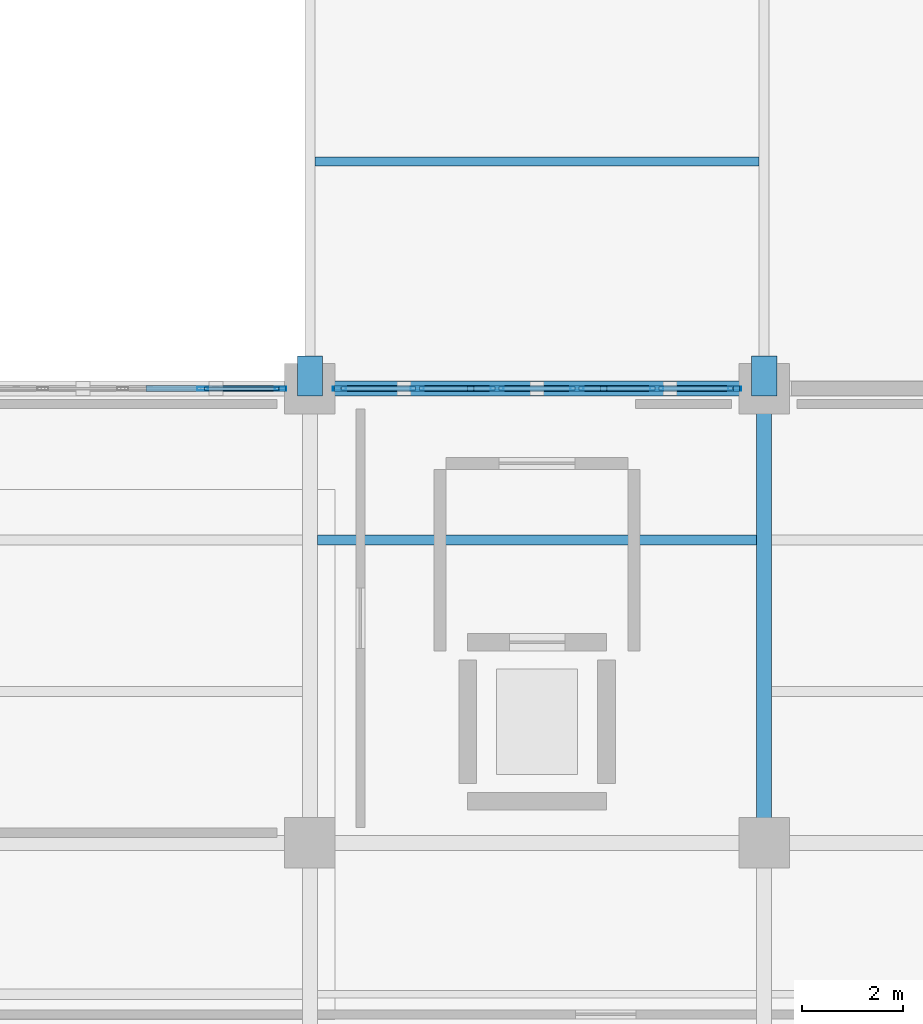
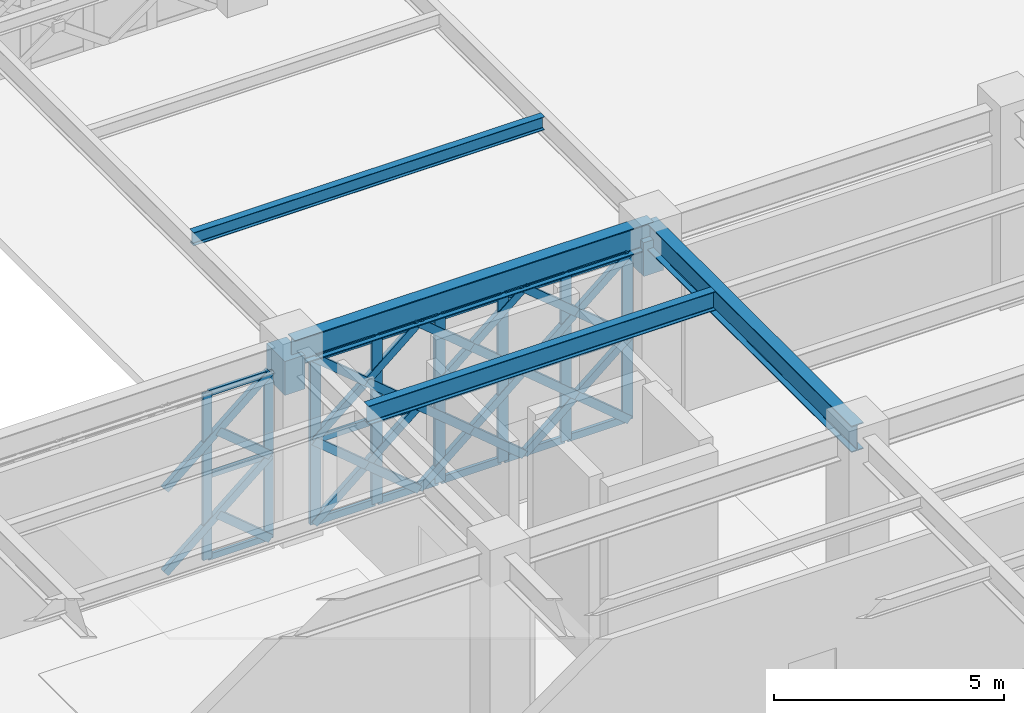
# One storey, part 16 of 140: 48 members, 6 beams, 2 elements without a shape of their own.
"""IFC4 building model written with IfcOpenShell, lengths in metres."""

from ifc_helpers import new_model, si_unit, direction, frame, origin, origin_2d, place, context, subcontext, project, spatial, rectangle, hollow_rectangle, i_section, extrude, material, material_profile, profile_set, type_object, element, aggregate, save


model = new_model("IFC4")

# Units and contexts
model_context = context("Model", 3, precision=1e-05, world=origin(), true_north=direction((0.0, 1.0)))
body_context = subcontext(model_context, "Body", "Model", "MODEL_VIEW")
ifc_project = project(units=[si_unit("LENGTHUNIT", "METRE"), si_unit("AREAUNIT", "SQUARE_METRE"), si_unit("VOLUMEUNIT", "CUBIC_METRE"), si_unit("PLANEANGLEUNIT", "RADIAN"), si_unit("MASSUNIT", "GRAM", prefix="KILO")], contexts=[model_context])

# Site, building, storey
site_placement = place(None, origin())
site = spatial("IfcSite", under=ifc_project, at=site_placement, CompositionType="ELEMENT")
building_placement = place(site_placement, origin())
building = spatial("IfcBuilding", under=site, at=building_placement, Name="Haizhuo Lancet Aquarium", CompositionType="ELEMENT")
storey_placement = place(building_placement, origin())
storey = spatial("IfcBuildingStorey", under=building, at=storey_placement, Name="L00", CompositionType="ELEMENT", Elevation=0.0)

# Beams
ifc_material_1 = material(Name="Concrete C40/50", Category="concrete")
ifc_material_profile_1 = material_profile(ifc_material_1, rectangle(XDim=0.5, YDim=0.89990234375, at=origin_2d()), Name="RC-BM 500x900")
ifc_profile_set_1 = profile_set([ifc_material_profile_1], Name="Concrete C40/50")
beam_type_1 = type_object("IfcBeamType", Name="BM-RC-500x900", PredefinedType="BEAM", material=ifc_profile_set_1)
for number, where, z_axis, x_axis, name in (
    (1, (-63.0, -9.14990234375, 4.205078125), (0.0, 1.0, 0.0), (-1.0, 0.0, 0.0), "Reinforced concrete bridge bearing corbel SB-01 1S"),
    (2, (-54.0, -9.14990234375, 4.205078125), (0.0, 1.0, 0.0), (-1.0, 0.0, 0.0), "Reinforced concrete bridge bearing corbel SB-01 2S"),
):
    element("IfcBeam", number, at=place(storey_placement, frame(where, z_axis=z_axis, x_axis=x_axis)), inside=storey, type_object=beam_type_1, Name=name, PredefinedType="BEAM", context=body_context, shape_type="SweptSolid", body=[
        extrude(rectangle(XDim=0.5, YDim=0.89990234375, at=origin_2d()), origin(), (0.0, 0.0, 1.0), 0.7998046875),
    ])
ifc_material_2 = material(Name="Steel S355", Category="steel")
ifc_material_profile_2 = material_profile(ifc_material_2, i_section(OverallWidth=0.300048828125, OverallDepth=0.699951171875, WebThickness=0.012939453125, FlangeThickness=0.02392578125, FilletRadius=0.02587890625, at=origin_2d()), Name="HN 700x300x13x24")
ifc_profile_set_2 = profile_set([ifc_material_profile_2], Name="Steel S355")
beam_type_2 = type_object("IfcBeamType", Name="BM-ST-HN700", PredefinedType="BEAM", material=ifc_profile_set_2)
for number, where, z_axis, x_axis, name in (
    (3, (-63.0, -9.0, 4.77001953125), (1.0, 0.0, 0.0), (0.0, 1.0, 0.0), "L00 V6 primary girder BM-L00-V6-013"),
    (4, (-54.0, -18.0, 4.77001953125), (0.0, 1.0, 0.0), (-1.0, 0.0, 0.0), "L00 V6 primary girder BM-L00-V6-018"),
):
    element("IfcBeam", number, at=place(storey_placement, frame(where, z_axis=z_axis, x_axis=x_axis)), inside=storey, type_object=beam_type_2, Name=name, PredefinedType="BEAM", context=body_context, shape_type="SweptSolid", body=[
        extrude(i_section(OverallWidth=0.300048828125, OverallDepth=0.699951171875, WebThickness=0.012939453125, FlangeThickness=0.02392578125, FilletRadius=0.02587890625, at=origin_2d()), origin(), (0.0, 0.0, 1.0), 9.0),
    ])

# Curtain wall, members
ifc_material_3 = material(Name="Aluminium 6063-T6", Category="aluminium")
curtain_wall_type = type_object("IfcCurtainWallType", Name="CWO-7910x4420", PredefinedType="NOTDEFINED", material=ifc_material_3)
curtain_wall_1_placement = place(storey_placement, origin())
curtain_wall_1 = element("IfcCurtainWall", 5, at=curtain_wall_1_placement, inside=storey, type_object=curtain_wall_type, Name="L00 curtain wall CW-V6-L00-194", PredefinedType="NOTDEFINED")
ifc_material_profile_3 = material_profile(ifc_material_3, hollow_rectangle(XDim=0.074951171875, YDim=0.219970703125, WallThickness=0.0048828125, at=origin_2d()), Name="ALU-M 75x220x5")
ifc_profile_set_3 = profile_set([ifc_material_profile_3], Name="Aluminium 6063-T6")
member_type_1 = type_object("IfcMemberType", Name="CW-MUL-2", PredefinedType="MULLION", material=ifc_profile_set_3)
member_1_placement = place(storey_placement, frame((-65.126953125, -9.0, 0.0), z_axis=(0.0, 0.0, 1.0), x_axis=(0.0, 1.0, 0.0)))
member_1 = element("IfcMember", 6, at=member_1_placement, type_object=member_type_1, Name="CWO-79x44 mullion 5", PredefinedType="MULLION", context=body_context, shape_type="SweptSolid", body=[
    extrude(hollow_rectangle(XDim=0.074951171875, YDim=0.219970703125, WallThickness=0.0048828125, at=origin_2d()), origin(), (0.0, 0.0, 1.0), 4.419921875),
])
member_2_placement = place(storey_placement, frame((-63.5830078125, -9.0, 0.0), z_axis=(0.0, 0.0, 1.0), x_axis=(0.0, 1.0, 0.0)))
member_2 = element("IfcMember", 7, at=member_2_placement, type_object=member_type_1, Name="CWO-79x44 mullion 6", PredefinedType="MULLION", context=body_context, shape_type="SweptSolid", body=[
    extrude(hollow_rectangle(XDim=0.074951171875, YDim=0.219970703125, WallThickness=0.0048828125, at=origin_2d()), origin(), (0.0, 0.0, 1.0), 4.419921875),
])

curtain_wall_2_placement = place(storey_placement, origin())
curtain_wall_2 = element("IfcCurtainWall", 8, at=curtain_wall_2_placement, inside=storey, type_object=curtain_wall_type, Name="L00 curtain wall CW-V6-L00-195", PredefinedType="NOTDEFINED")
ifc_material_profile_4 = material_profile(ifc_material_3, hollow_rectangle(XDim=0.080078125, YDim=0.260009765625, WallThickness=0.0048828125, at=origin_2d()), Name="ALU-M 80x260x5")
ifc_profile_set_4 = profile_set([ifc_material_profile_4], Name="Aluminium 6063-T6")
member_type_2 = type_object("IfcMemberType", Name="CW-MUL-3", PredefinedType="MULLION", material=ifc_profile_set_4)
member_3_placement = place(storey_placement, frame((-62.4150390625, -9.0, 0.0), z_axis=(0.0, 0.0, 1.0), x_axis=(0.0, 1.0, 0.0)))
member_3 = element("IfcMember", 9, at=member_3_placement, type_object=member_type_2, Name="CWO-79x44 mullion 1", PredefinedType="MULLION", context=body_context, shape_type="SweptSolid", body=[
    extrude(hollow_rectangle(XDim=0.080078125, YDim=0.260009765625, WallThickness=0.0048828125, at=origin_2d()), origin(), (0.0, 0.0, 1.0), 4.419921875),
])
member_4_placement = place(storey_placement, frame((-60.873046875, -9.0, 0.0), z_axis=(0.0, 0.0, 1.0), x_axis=(0.0, 1.0, 0.0)))
member_4 = element("IfcMember", 10, at=member_4_placement, type_object=member_type_2, Name="CWO-79x44 mullion 2", PredefinedType="MULLION", context=body_context, shape_type="SweptSolid", body=[
    extrude(hollow_rectangle(XDim=0.080078125, YDim=0.260009765625, WallThickness=0.0048828125, at=origin_2d()), origin(), (0.0, 0.0, 1.0), 4.419921875),
])
member_5_placement = place(storey_placement, frame((-59.291015625, -9.0, 0.0), z_axis=(0.0, 0.0, 1.0), x_axis=(0.0, 1.0, 0.0)))
member_5 = element("IfcMember", 11, at=member_5_placement, type_object=member_type_2, Name="CWO-79x44 mullion 3", PredefinedType="MULLION", context=body_context, shape_type="SweptSolid", body=[
    extrude(hollow_rectangle(XDim=0.080078125, YDim=0.260009765625, WallThickness=0.0048828125, at=origin_2d()), origin(), (0.0, 0.0, 1.0), 4.419921875),
])
member_6_placement = place(storey_placement, frame((-57.708984375, -9.0, 0.0), z_axis=(0.0, 0.0, 1.0), x_axis=(0.0, 1.0, 0.0)))
member_6 = element("IfcMember", 12, at=member_6_placement, type_object=member_type_2, Name="CWO-79x44 mullion 4", PredefinedType="MULLION", context=body_context, shape_type="SweptSolid", body=[
    extrude(hollow_rectangle(XDim=0.080078125, YDim=0.260009765625, WallThickness=0.0048828125, at=origin_2d()), origin(), (0.0, 0.0, 1.0), 4.419921875),
])
member_7_placement = place(storey_placement, frame((-56.126953125, -9.0, 0.0), z_axis=(0.0, 0.0, 1.0), x_axis=(0.0, 1.0, 0.0)))
member_7 = element("IfcMember", 13, at=member_7_placement, type_object=member_type_2, Name="CWO-79x44 mullion 5", PredefinedType="MULLION", context=body_context, shape_type="SweptSolid", body=[
    extrude(hollow_rectangle(XDim=0.080078125, YDim=0.260009765625, WallThickness=0.0048828125, at=origin_2d()), origin(), (0.0, 0.0, 1.0), 4.419921875),
])
member_8_placement = place(storey_placement, frame((-54.5849609375, -9.0, 0.0), z_axis=(0.0, 0.0, 1.0), x_axis=(0.0, 1.0, 0.0)))
member_8 = element("IfcMember", 14, at=member_8_placement, type_object=member_type_2, Name="CWO-79x44 mullion 6", PredefinedType="MULLION", context=body_context, shape_type="SweptSolid", body=[
    extrude(hollow_rectangle(XDim=0.080078125, YDim=0.260009765625, WallThickness=0.0048828125, at=origin_2d()), origin(), (0.0, 0.0, 1.0), 4.419921875),
])

# Member
ifc_material_profile_5 = material_profile(ifc_material_3, hollow_rectangle(XDim=0.074951171875, YDim=0.159912109375, WallThickness=0.00390625, at=origin_2d()), Name="ALU-T 75x160x4")
ifc_profile_set_5 = profile_set([ifc_material_profile_5], Name="Aluminium 6063-T6")
member_type_3 = type_object("IfcMemberType", Name="CW-TRN-2", PredefinedType="NOTDEFINED", material=ifc_profile_set_5)
member_9_placement = place(storey_placement, frame((-65.090087890625, -9.0, 0.037109375), z_axis=(1.0, 0.0, 0.0), x_axis=(0.0, 1.0, 0.0)))
member_9 = element("IfcMember", 15, at=member_9_placement, type_object=member_type_3, Name="CWO-79x44 transom 5.1", ObjectType="TRANSOM", PredefinedType="USERDEFINED", context=body_context, shape_type="SweptSolid", body=[
    extrude(hollow_rectangle(XDim=0.074951171875, YDim=0.159912109375, WallThickness=0.00390625, at=origin_2d()), origin(), (0.0, 0.0, 1.0), 1.469970703125),
])

member_10_placement = place(storey_placement, frame((-65.090087890625, -9.0, 2.2099609375), z_axis=(1.0, 0.0, 0.0), x_axis=(0.0, 1.0, 0.0)))
member_10 = element("IfcMember", 16, at=member_10_placement, type_object=member_type_3, Name="CWO-79x44 transom 5.2", ObjectType="TRANSOM", PredefinedType="USERDEFINED", context=body_context, shape_type="SweptSolid", body=[
    extrude(hollow_rectangle(XDim=0.074951171875, YDim=0.159912109375, WallThickness=0.00390625, at=origin_2d()), origin(), (0.0, 0.0, 1.0), 1.469970703125),
])

member_11_placement = place(storey_placement, frame((-65.090087890625, -9.0, 4.383056640625), z_axis=(1.0, 0.0, 0.0), x_axis=(0.0, 1.0, 0.0)))
member_11 = element("IfcMember", 17, at=member_11_placement, type_object=member_type_3, Name="CWO-79x44 transom 5.3", ObjectType="TRANSOM", PredefinedType="USERDEFINED", context=body_context, shape_type="SweptSolid", body=[
    extrude(hollow_rectangle(XDim=0.074951171875, YDim=0.159912109375, WallThickness=0.00390625, at=origin_2d()), origin(), (0.0, 0.0, 1.0), 1.469970703125),
])

aggregate(curtain_wall_1, [member_1, member_2, member_9, member_10, member_11])

ifc_material_profile_6 = material_profile(ifc_material_3, hollow_rectangle(XDim=0.080078125, YDim=0.18994140625, WallThickness=0.0048828125, at=origin_2d()), Name="ALU-T 80x190x5")
ifc_profile_set_6 = profile_set([ifc_material_profile_6], Name="Aluminium 6063-T6")
member_type_4 = type_object("IfcMemberType", Name="CW-TRN-3", PredefinedType="NOTDEFINED", material=ifc_profile_set_6)
member_12_placement = place(storey_placement, frame((-62.375, -9.0, 0.0400390625), z_axis=(1.0, 0.0, 0.0), x_axis=(0.0, 1.0, 0.0)))
member_12 = element("IfcMember", 18, at=member_12_placement, type_object=member_type_4, Name="CWO-79x44 transom 1.1", ObjectType="TRANSOM", PredefinedType="USERDEFINED", context=body_context, shape_type="SweptSolid", body=[
    extrude(hollow_rectangle(XDim=0.080078125, YDim=0.18994140625, WallThickness=0.0048828125, at=origin_2d()), origin(), (0.0, 0.0, 1.0), 1.4619140625),
])

member_13_placement = place(storey_placement, frame((-62.375, -9.0, 2.2099609375), z_axis=(1.0, 0.0, 0.0), x_axis=(0.0, 1.0, 0.0)))
member_13 = element("IfcMember", 19, at=member_13_placement, type_object=member_type_4, Name="CWO-79x44 transom 1.2", ObjectType="TRANSOM", PredefinedType="USERDEFINED", context=body_context, shape_type="SweptSolid", body=[
    extrude(hollow_rectangle(XDim=0.080078125, YDim=0.18994140625, WallThickness=0.0048828125, at=origin_2d()), origin(), (0.0, 0.0, 1.0), 1.4619140625),
])

member_14_placement = place(storey_placement, frame((-62.375, -9.0, 4.3798828125), z_axis=(1.0, 0.0, 0.0), x_axis=(0.0, 1.0, 0.0)))
member_14 = element("IfcMember", 20, at=member_14_placement, type_object=member_type_4, Name="CWO-79x44 transom 1.3", ObjectType="TRANSOM", PredefinedType="USERDEFINED", context=body_context, shape_type="SweptSolid", body=[
    extrude(hollow_rectangle(XDim=0.080078125, YDim=0.18994140625, WallThickness=0.0048828125, at=origin_2d()), origin(), (0.0, 0.0, 1.0), 1.4619140625),
])

member_15_placement = place(storey_placement, frame((-60.8330078125, -9.0, 0.0400390625), z_axis=(1.0, 0.0, 0.0), x_axis=(0.0, 1.0, 0.0)))
member_15 = element("IfcMember", 21, at=member_15_placement, type_object=member_type_4, Name="CWO-79x44 transom 2.1", ObjectType="TRANSOM", PredefinedType="USERDEFINED", context=body_context, shape_type="SweptSolid", body=[
    extrude(hollow_rectangle(XDim=0.080078125, YDim=0.18994140625, WallThickness=0.0048828125, at=origin_2d()), origin(), (0.0, 0.0, 1.0), 1.501953125),
])

member_16_placement = place(storey_placement, frame((-60.8330078125, -9.0, 2.2099609375), z_axis=(1.0, 0.0, 0.0), x_axis=(0.0, 1.0, 0.0)))
member_16 = element("IfcMember", 22, at=member_16_placement, type_object=member_type_4, Name="CWO-79x44 transom 2.2", ObjectType="TRANSOM", PredefinedType="USERDEFINED", context=body_context, shape_type="SweptSolid", body=[
    extrude(hollow_rectangle(XDim=0.080078125, YDim=0.18994140625, WallThickness=0.0048828125, at=origin_2d()), origin(), (0.0, 0.0, 1.0), 1.501953125),
])

member_17_placement = place(storey_placement, frame((-60.8330078125, -9.0, 4.3798828125), z_axis=(1.0, 0.0, 0.0), x_axis=(0.0, 1.0, 0.0)))
member_17 = element("IfcMember", 23, at=member_17_placement, type_object=member_type_4, Name="CWO-79x44 transom 2.3", ObjectType="TRANSOM", PredefinedType="USERDEFINED", context=body_context, shape_type="SweptSolid", body=[
    extrude(hollow_rectangle(XDim=0.080078125, YDim=0.18994140625, WallThickness=0.0048828125, at=origin_2d()), origin(), (0.0, 0.0, 1.0), 1.501953125),
])

member_18_placement = place(storey_placement, frame((-59.2509765625, -9.0, 0.0400390625), z_axis=(1.0, 0.0, 0.0), x_axis=(0.0, 1.0, 0.0)))
member_18 = element("IfcMember", 24, at=member_18_placement, type_object=member_type_4, Name="CWO-79x44 transom 3.1", ObjectType="TRANSOM", PredefinedType="USERDEFINED", context=body_context, shape_type="SweptSolid", body=[
    extrude(hollow_rectangle(XDim=0.080078125, YDim=0.18994140625, WallThickness=0.0048828125, at=origin_2d()), origin(), (0.0, 0.0, 1.0), 1.501953125),
])

member_19_placement = place(storey_placement, frame((-59.2509765625, -9.0, 2.2099609375), z_axis=(1.0, 0.0, 0.0), x_axis=(0.0, 1.0, 0.0)))
member_19 = element("IfcMember", 25, at=member_19_placement, type_object=member_type_4, Name="CWO-79x44 transom 3.2", ObjectType="TRANSOM", PredefinedType="USERDEFINED", context=body_context, shape_type="SweptSolid", body=[
    extrude(hollow_rectangle(XDim=0.080078125, YDim=0.18994140625, WallThickness=0.0048828125, at=origin_2d()), origin(), (0.0, 0.0, 1.0), 1.501953125),
])

member_20_placement = place(storey_placement, frame((-59.2509765625, -9.0, 4.3798828125), z_axis=(1.0, 0.0, 0.0), x_axis=(0.0, 1.0, 0.0)))
member_20 = element("IfcMember", 26, at=member_20_placement, type_object=member_type_4, Name="CWO-79x44 transom 3.3", ObjectType="TRANSOM", PredefinedType="USERDEFINED", context=body_context, shape_type="SweptSolid", body=[
    extrude(hollow_rectangle(XDim=0.080078125, YDim=0.18994140625, WallThickness=0.0048828125, at=origin_2d()), origin(), (0.0, 0.0, 1.0), 1.501953125),
])

member_21_placement = place(storey_placement, frame((-57.6689453125, -9.0, 0.0400390625), z_axis=(1.0, 0.0, 0.0), x_axis=(0.0, 1.0, 0.0)))
member_21 = element("IfcMember", 27, at=member_21_placement, type_object=member_type_4, Name="CWO-79x44 transom 4.1", ObjectType="TRANSOM", PredefinedType="USERDEFINED", context=body_context, shape_type="SweptSolid", body=[
    extrude(hollow_rectangle(XDim=0.080078125, YDim=0.18994140625, WallThickness=0.0048828125, at=origin_2d()), origin(), (0.0, 0.0, 1.0), 1.501953125),
])

member_22_placement = place(storey_placement, frame((-57.6689453125, -9.0, 2.2099609375), z_axis=(1.0, 0.0, 0.0), x_axis=(0.0, 1.0, 0.0)))
member_22 = element("IfcMember", 28, at=member_22_placement, type_object=member_type_4, Name="CWO-79x44 transom 4.2", ObjectType="TRANSOM", PredefinedType="USERDEFINED", context=body_context, shape_type="SweptSolid", body=[
    extrude(hollow_rectangle(XDim=0.080078125, YDim=0.18994140625, WallThickness=0.0048828125, at=origin_2d()), origin(), (0.0, 0.0, 1.0), 1.501953125),
])

member_23_placement = place(storey_placement, frame((-57.6689453125, -9.0, 4.3798828125), z_axis=(1.0, 0.0, 0.0), x_axis=(0.0, 1.0, 0.0)))
member_23 = element("IfcMember", 29, at=member_23_placement, type_object=member_type_4, Name="CWO-79x44 transom 4.3", ObjectType="TRANSOM", PredefinedType="USERDEFINED", context=body_context, shape_type="SweptSolid", body=[
    extrude(hollow_rectangle(XDim=0.080078125, YDim=0.18994140625, WallThickness=0.0048828125, at=origin_2d()), origin(), (0.0, 0.0, 1.0), 1.501953125),
])

member_24_placement = place(storey_placement, frame((-56.0869140625, -9.0, 0.0400390625), z_axis=(1.0, 0.0, 0.0), x_axis=(0.0, 1.0, 0.0)))
member_24 = element("IfcMember", 30, at=member_24_placement, type_object=member_type_4, Name="CWO-79x44 transom 5.1", ObjectType="TRANSOM", PredefinedType="USERDEFINED", context=body_context, shape_type="SweptSolid", body=[
    extrude(hollow_rectangle(XDim=0.080078125, YDim=0.18994140625, WallThickness=0.0048828125, at=origin_2d()), origin(), (0.0, 0.0, 1.0), 1.4619140625),
])

member_25_placement = place(storey_placement, frame((-56.0869140625, -9.0, 2.2099609375), z_axis=(1.0, 0.0, 0.0), x_axis=(0.0, 1.0, 0.0)))
member_25 = element("IfcMember", 31, at=member_25_placement, type_object=member_type_4, Name="CWO-79x44 transom 5.2", ObjectType="TRANSOM", PredefinedType="USERDEFINED", context=body_context, shape_type="SweptSolid", body=[
    extrude(hollow_rectangle(XDim=0.080078125, YDim=0.18994140625, WallThickness=0.0048828125, at=origin_2d()), origin(), (0.0, 0.0, 1.0), 1.4619140625),
])

member_26_placement = place(storey_placement, frame((-56.0869140625, -9.0, 4.3798828125), z_axis=(1.0, 0.0, 0.0), x_axis=(0.0, 1.0, 0.0)))
member_26 = element("IfcMember", 32, at=member_26_placement, type_object=member_type_4, Name="CWO-79x44 transom 5.3", ObjectType="TRANSOM", PredefinedType="USERDEFINED", context=body_context, shape_type="SweptSolid", body=[
    extrude(hollow_rectangle(XDim=0.080078125, YDim=0.18994140625, WallThickness=0.0048828125, at=origin_2d()), origin(), (0.0, 0.0, 1.0), 1.4619140625),
])

aggregate(curtain_wall_2, [member_3, member_4, member_5, member_6, member_7, member_8, member_12, member_13, member_14, member_15, member_16, member_17, member_18, member_19, member_20, member_21, member_22, member_23, member_24, member_25, member_26])

# Beams
ifc_material_profile_7 = material_profile(ifc_material_2, i_section(OverallWidth=0.175048828125, OverallDepth=0.35009765625, WebThickness=0.007080078125, FlangeThickness=0.010986328125, FilletRadius=0.013916015625, at=origin_2d()), Name="HN 350x175x7x11")
ifc_profile_set_7 = profile_set([ifc_material_profile_7], Name="Steel S355")
beam_type_3 = type_object("IfcBeamType", Name="JST-ST-HN350", PredefinedType="JOIST", material=ifc_profile_set_7)
beam_1_placement = place(storey_placement, frame((-62.89990234375, -4.5, 5.0048828125), z_axis=(1.0, 0.0, 0.0), x_axis=(0.0, 1.0, 0.0)))
element("IfcBeam", 33, at=beam_1_placement, inside=storey, type_object=beam_type_3, Name="Glazed bridge floor joist SB-01 1", PredefinedType="JOIST", context=body_context, shape_type="SweptSolid", body=[
    extrude(i_section(OverallWidth=0.175048828125, OverallDepth=0.35009765625, WebThickness=0.007080078125, FlangeThickness=0.010986328125, FilletRadius=0.013916015625, at=origin_2d()), origin(), (0.0, 0.0, 1.0), 8.7998046875),
])
ifc_material_profile_8 = material_profile(ifc_material_2, i_section(OverallWidth=0.199951171875, OverallDepth=0.5, WebThickness=0.010009765625, FlangeThickness=0.01611328125, FilletRadius=0.02001953125, at=origin_2d()), Name="HN 500x200x10x16")
ifc_profile_set_8 = profile_set([ifc_material_profile_8], Name="Steel S355")
beam_type_4 = type_object("IfcBeamType", Name="JST-ST-HN500", PredefinedType="JOIST", material=ifc_profile_set_8)
beam_2_placement = place(storey_placement, frame((-62.85009765625, -12.0, 4.8701171875), z_axis=(1.0, 0.0, 0.0), x_axis=(0.0, 1.0, 0.0)))
element("IfcBeam", 34, at=beam_2_placement, inside=storey, type_object=beam_type_4, Name="L00 V6 secondary floor joist 9", PredefinedType="JOIST", context=body_context, shape_type="SweptSolid", body=[
    extrude(i_section(OverallWidth=0.199951171875, OverallDepth=0.5, WebThickness=0.010009765625, FlangeThickness=0.01611328125, FilletRadius=0.02001953125, at=origin_2d()), origin(), (0.0, 0.0, 1.0), 8.7001953125),
])

# Members
ifc_material_profile_9 = material_profile(ifc_material_2, hollow_rectangle(XDim=0.1201171875, YDim=0.199951171875, WallThickness=0.008056640625, at=origin_2d()), Name="RHS 120x200x8")
ifc_profile_set_9 = profile_set([ifc_material_profile_9], Name="Steel S355")
member_type_5 = type_object("IfcMemberType", Name="MEM-LB-RHS120x200", PredefinedType="BRACE", material=ifc_profile_set_9)
member_27_placement = place(storey_placement, frame((-66.181884765625, -9.0, 0.0), z_axis=(0.766432673157, 0.0, 0.642324651182), x_axis=(0.0, 1.0, 0.0)))
element("IfcMember", 35, at=member_27_placement, inside=storey, type_object=member_type_5, Name="Gothic lancet continuous diagonal brace CW-V6-L00-194 5A", PredefinedType="BRACE", context=body_context, shape_type="SweptSolid", body=[
    extrude(hollow_rectangle(XDim=0.1201171875, YDim=0.199951171875, WallThickness=0.008056640625, at=origin_2d()), origin(), (0.0, 0.0, 1.0), 3.440673828125),
])
member_28_placement = place(storey_placement, frame((-63.544921875, -9.0, 0.0), z_axis=(-0.76657899599, 0.0, 0.64215001589), x_axis=(0.0, -1.0, 0.0)))
element("IfcMember", 36, at=member_28_placement, inside=storey, type_object=member_type_5, Name="Gothic lancet split diagonal brace CW-V6-L00-194 5B1", PredefinedType="BRACE", context=body_context, shape_type="SweptSolid", body=[
    extrude(hollow_rectangle(XDim=0.1201171875, YDim=0.199951171875, WallThickness=0.008056640625, at=origin_2d()), origin(), (0.0, 0.0, 1.0), 1.720703125),
])
member_29_placement = place(storey_placement, frame((-66.181884765625, -9.0, 2.2099609375), z_axis=(0.766432673157, 0.0, 0.642324651182), x_axis=(0.0, 1.0, 0.0)))
element("IfcMember", 37, at=member_29_placement, inside=storey, type_object=member_type_5, Name="Gothic lancet continuous diagonal brace CW-V6-L00-194 6A", PredefinedType="BRACE", context=body_context, shape_type="SweptSolid", body=[
    extrude(hollow_rectangle(XDim=0.1201171875, YDim=0.199951171875, WallThickness=0.008056640625, at=origin_2d()), origin(), (0.0, 0.0, 1.0), 3.440673828125),
])
member_30_placement = place(storey_placement, frame((-63.544921875, -9.0, 2.2099609375), z_axis=(-0.76657899599, 0.0, 0.64215001589), x_axis=(0.0, -1.0, 0.0)))
element("IfcMember", 38, at=member_30_placement, inside=storey, type_object=member_type_5, Name="Gothic lancet split diagonal brace CW-V6-L00-194 6B1", PredefinedType="BRACE", context=body_context, shape_type="SweptSolid", body=[
    extrude(hollow_rectangle(XDim=0.1201171875, YDim=0.199951171875, WallThickness=0.008056640625, at=origin_2d()), origin(), (0.0, 0.0, 1.0), 1.720703125),
])
member_31_placement = place(storey_placement, frame((-62.455078125, -9.0, 0.0), z_axis=(0.766432673157, 0.0, 0.642324651182), x_axis=(0.0, 1.0, 0.0)))
element("IfcMember", 39, at=member_31_placement, inside=storey, type_object=member_type_5, Name="Gothic lancet continuous diagonal brace CW-V6-L00-195 1A", PredefinedType="BRACE", context=body_context, shape_type="SweptSolid", body=[
    extrude(hollow_rectangle(XDim=0.1201171875, YDim=0.199951171875, WallThickness=0.008056640625, at=origin_2d()), origin(), (0.0, 0.0, 1.0), 3.440673828125),
])
member_32_placement = place(storey_placement, frame((-59.818115234375, -9.0, 0.0), z_axis=(-0.766286230908, 0.0, 0.642499348109), x_axis=(0.0, -1.0, 0.0)))
element("IfcMember", 40, at=member_32_placement, inside=storey, type_object=member_type_5, Name="Gothic lancet split diagonal brace CW-V6-L00-195 1B1", PredefinedType="BRACE", context=body_context, shape_type="SweptSolid", body=[
    extrude(hollow_rectangle(XDim=0.1201171875, YDim=0.199951171875, WallThickness=0.008056640625, at=origin_2d()), origin(), (0.0, 0.0, 1.0), 1.7197265625),
])
member_33_placement = place(storey_placement, frame((-61.135986328125, -9.0, 1.10498046875), z_axis=(-0.76657899599, 0.0, 0.64215001589), x_axis=(0.0, -1.0, 0.0)))
element("IfcMember", 41, at=member_33_placement, inside=storey, type_object=member_type_5, Name="Gothic lancet split diagonal brace CW-V6-L00-195 1B2", PredefinedType="BRACE", context=body_context, shape_type="SweptSolid", body=[
    extrude(hollow_rectangle(XDim=0.1201171875, YDim=0.199951171875, WallThickness=0.008056640625, at=origin_2d()), origin(), (0.0, 0.0, 1.0), 1.720703125),
])
member_34_placement = place(storey_placement, frame((-62.455078125, -9.0, 2.2099609375), z_axis=(0.766432673157, 0.0, 0.642324651182), x_axis=(0.0, 1.0, 0.0)))
element("IfcMember", 42, at=member_34_placement, inside=storey, type_object=member_type_5, Name="Gothic lancet continuous diagonal brace CW-V6-L00-195 2A", PredefinedType="BRACE", context=body_context, shape_type="SweptSolid", body=[
    extrude(hollow_rectangle(XDim=0.1201171875, YDim=0.199951171875, WallThickness=0.008056640625, at=origin_2d()), origin(), (0.0, 0.0, 1.0), 3.440673828125),
])
member_35_placement = place(storey_placement, frame((-59.818115234375, -9.0, 2.2099609375), z_axis=(-0.766286230908, 0.0, 0.642499348109), x_axis=(0.0, -1.0, 0.0)))
element("IfcMember", 43, at=member_35_placement, inside=storey, type_object=member_type_5, Name="Gothic lancet split diagonal brace CW-V6-L00-195 2B1", PredefinedType="BRACE", context=body_context, shape_type="SweptSolid", body=[
    extrude(hollow_rectangle(XDim=0.1201171875, YDim=0.199951171875, WallThickness=0.008056640625, at=origin_2d()), origin(), (0.0, 0.0, 1.0), 1.7197265625),
])
member_36_placement = place(storey_placement, frame((-61.135986328125, -9.0, 3.31494140625), z_axis=(-0.76657899599, 0.0, 0.64215001589), x_axis=(0.0, -1.0, 0.0)))
element("IfcMember", 44, at=member_36_placement, inside=storey, type_object=member_type_5, Name="Gothic lancet split diagonal brace CW-V6-L00-195 2B2", PredefinedType="BRACE", context=body_context, shape_type="SweptSolid", body=[
    extrude(hollow_rectangle(XDim=0.1201171875, YDim=0.199951171875, WallThickness=0.008056640625, at=origin_2d()), origin(), (0.0, 0.0, 1.0), 1.720703125),
])
member_37_placement = place(storey_placement, frame((-59.818115234375, -9.0, 0.0), z_axis=(0.766344822145, 0.0, 0.642429461943), x_axis=(0.0, 1.0, 0.0)))
element("IfcMember", 45, at=member_37_placement, inside=storey, type_object=member_type_5, Name="Gothic lancet continuous diagonal brace CW-V6-L00-195 3A", PredefinedType="BRACE", context=body_context, shape_type="SweptSolid", body=[
    extrude(hollow_rectangle(XDim=0.1201171875, YDim=0.199951171875, WallThickness=0.008056640625, at=origin_2d()), origin(), (0.0, 0.0, 1.0), 3.43994140625),
])
for number, where, z_axis, x_axis, name in (
    (46, (-57.181884765625, -9.0, 0.0), (-0.766344822145, 0.0, 0.642429461943), (0.0, -1.0, 0.0), "Gothic lancet split diagonal brace CW-V6-L00-195 3B1"),
    (47, (-58.5, -9.0, 1.10498046875), (-0.766344822145, 0.0, 0.642429461943), (0.0, -1.0, 0.0), "Gothic lancet split diagonal brace CW-V6-L00-195 3B2"),
):
    element("IfcMember", number, at=place(storey_placement, frame(where, z_axis=z_axis, x_axis=x_axis)), inside=storey, type_object=member_type_5, Name=name, PredefinedType="BRACE", context=body_context, shape_type="SweptSolid", body=[
        extrude(hollow_rectangle(XDim=0.1201171875, YDim=0.199951171875, WallThickness=0.008056640625, at=origin_2d()), origin(), (0.0, 0.0, 1.0), 1.719970703125),
    ])
member_38_placement = place(storey_placement, frame((-59.818115234375, -9.0, 2.2099609375), z_axis=(0.766344822145, 0.0, 0.642429461943), x_axis=(0.0, 1.0, 0.0)))
element("IfcMember", 48, at=member_38_placement, inside=storey, type_object=member_type_5, Name="Gothic lancet continuous diagonal brace CW-V6-L00-195 4A", PredefinedType="BRACE", context=body_context, shape_type="SweptSolid", body=[
    extrude(hollow_rectangle(XDim=0.1201171875, YDim=0.199951171875, WallThickness=0.008056640625, at=origin_2d()), origin(), (0.0, 0.0, 1.0), 3.43994140625),
])
for number, where, z_axis, x_axis, name in (
    (49, (-57.181884765625, -9.0, 2.2099609375), (-0.766344822145, 0.0, 0.642429461943), (0.0, -1.0, 0.0), "Gothic lancet split diagonal brace CW-V6-L00-195 4B1"),
    (50, (-58.5, -9.0, 3.31494140625), (-0.766344822145, 0.0, 0.642429461943), (0.0, -1.0, 0.0), "Gothic lancet split diagonal brace CW-V6-L00-195 4B2"),
):
    element("IfcMember", number, at=place(storey_placement, frame(where, z_axis=z_axis, x_axis=x_axis)), inside=storey, type_object=member_type_5, Name=name, PredefinedType="BRACE", context=body_context, shape_type="SweptSolid", body=[
        extrude(hollow_rectangle(XDim=0.1201171875, YDim=0.199951171875, WallThickness=0.008056640625, at=origin_2d()), origin(), (0.0, 0.0, 1.0), 1.719970703125),
    ])
member_39_placement = place(storey_placement, frame((-57.181884765625, -9.0, 0.0), z_axis=(0.766432673157, 0.0, 0.642324651182), x_axis=(0.0, 1.0, 0.0)))
element("IfcMember", 51, at=member_39_placement, inside=storey, type_object=member_type_5, Name="Gothic lancet continuous diagonal brace CW-V6-L00-195 5A", PredefinedType="BRACE", context=body_context, shape_type="SweptSolid", body=[
    extrude(hollow_rectangle(XDim=0.1201171875, YDim=0.199951171875, WallThickness=0.008056640625, at=origin_2d()), origin(), (0.0, 0.0, 1.0), 3.440673828125),
])
member_40_placement = place(storey_placement, frame((-54.544921875, -9.0, 0.0), z_axis=(-0.76657899599, 0.0, 0.64215001589), x_axis=(0.0, -1.0, 0.0)))
element("IfcMember", 52, at=member_40_placement, inside=storey, type_object=member_type_5, Name="Gothic lancet split diagonal brace CW-V6-L00-195 5B1", PredefinedType="BRACE", context=body_context, shape_type="SweptSolid", body=[
    extrude(hollow_rectangle(XDim=0.1201171875, YDim=0.199951171875, WallThickness=0.008056640625, at=origin_2d()), origin(), (0.0, 0.0, 1.0), 1.720703125),
])
member_41_placement = place(storey_placement, frame((-55.864013671875, -9.0, 1.10498046875), z_axis=(-0.766286230908, 0.0, 0.642499348109), x_axis=(0.0, -1.0, 0.0)))
element("IfcMember", 53, at=member_41_placement, inside=storey, type_object=member_type_5, Name="Gothic lancet split diagonal brace CW-V6-L00-195 5B2", PredefinedType="BRACE", context=body_context, shape_type="SweptSolid", body=[
    extrude(hollow_rectangle(XDim=0.1201171875, YDim=0.199951171875, WallThickness=0.008056640625, at=origin_2d()), origin(), (0.0, 0.0, 1.0), 1.7197265625),
])
member_42_placement = place(storey_placement, frame((-57.181884765625, -9.0, 2.2099609375), z_axis=(0.766432673157, 0.0, 0.642324651182), x_axis=(0.0, 1.0, 0.0)))
element("IfcMember", 54, at=member_42_placement, inside=storey, type_object=member_type_5, Name="Gothic lancet continuous diagonal brace CW-V6-L00-195 6A", PredefinedType="BRACE", context=body_context, shape_type="SweptSolid", body=[
    extrude(hollow_rectangle(XDim=0.1201171875, YDim=0.199951171875, WallThickness=0.008056640625, at=origin_2d()), origin(), (0.0, 0.0, 1.0), 3.440673828125),
])
member_43_placement = place(storey_placement, frame((-54.544921875, -9.0, 2.2099609375), z_axis=(-0.76657899599, 0.0, 0.64215001589), x_axis=(0.0, -1.0, 0.0)))
element("IfcMember", 55, at=member_43_placement, inside=storey, type_object=member_type_5, Name="Gothic lancet split diagonal brace CW-V6-L00-195 6B1", PredefinedType="BRACE", context=body_context, shape_type="SweptSolid", body=[
    extrude(hollow_rectangle(XDim=0.1201171875, YDim=0.199951171875, WallThickness=0.008056640625, at=origin_2d()), origin(), (0.0, 0.0, 1.0), 1.720703125),
])
member_44_placement = place(storey_placement, frame((-55.864013671875, -9.0, 3.31494140625), z_axis=(-0.766286230908, 0.0, 0.642499348109), x_axis=(0.0, -1.0, 0.0)))
element("IfcMember", 56, at=member_44_placement, inside=storey, type_object=member_type_5, Name="Gothic lancet split diagonal brace CW-V6-L00-195 6B2", PredefinedType="BRACE", context=body_context, shape_type="SweptSolid", body=[
    extrude(hollow_rectangle(XDim=0.1201171875, YDim=0.199951171875, WallThickness=0.008056640625, at=origin_2d()), origin(), (0.0, 0.0, 1.0), 1.7197265625),
])

save(model, "model.ifc")
